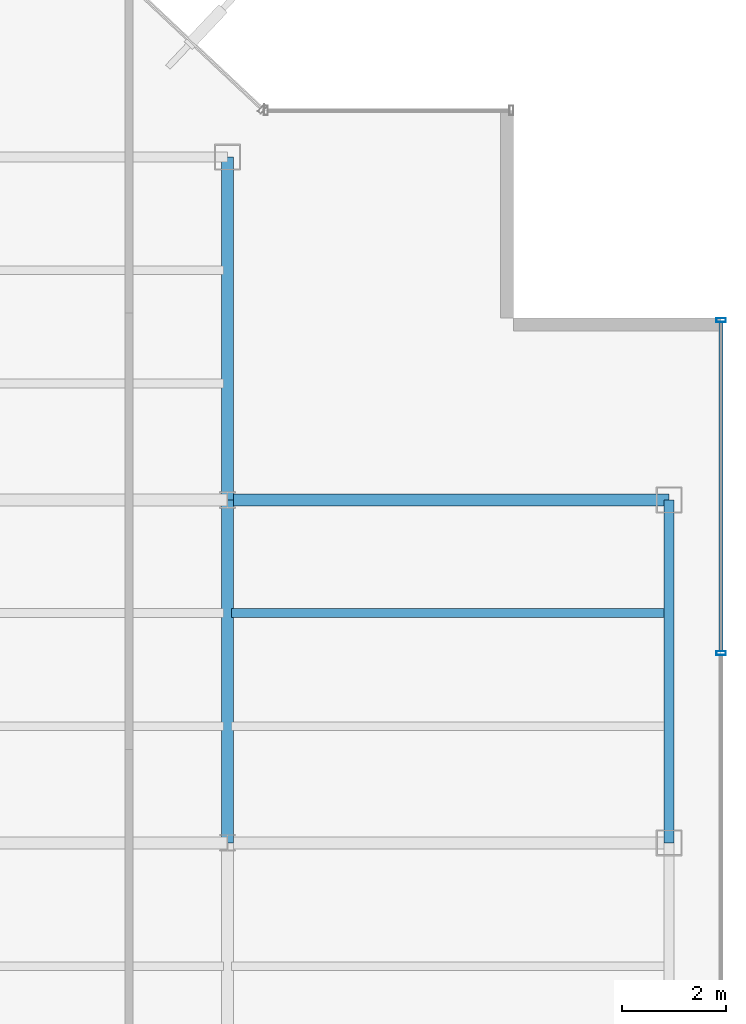
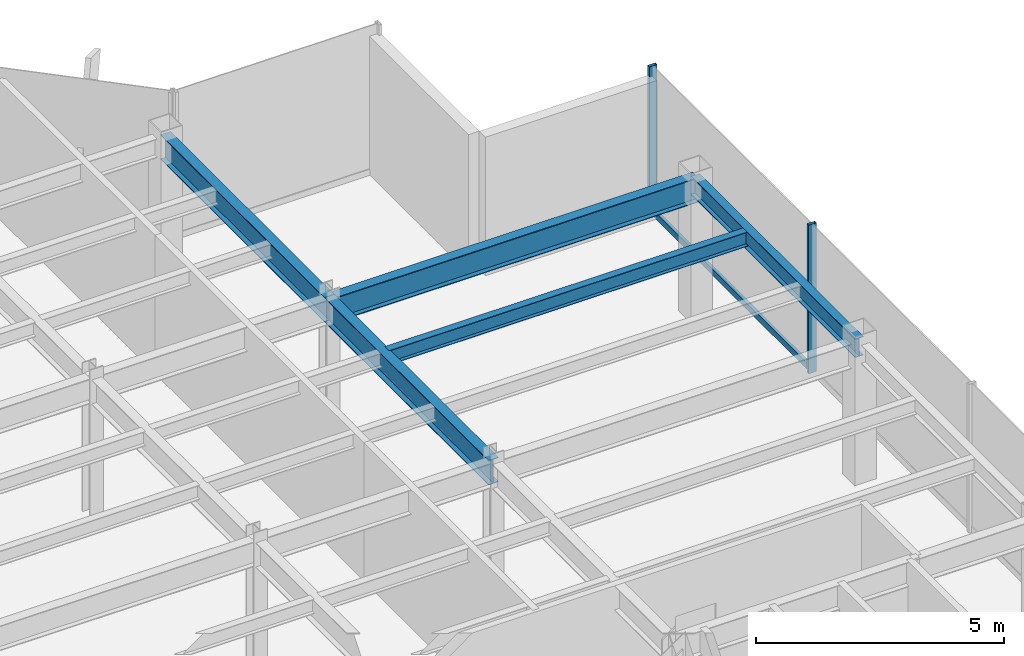
# One storey, part 11 of 22: 5 beams, 3 members, 1 element without a shape of its own.
"""IFC4 building model written with IfcOpenShell, lengths in metres."""

from ifc_helpers import new_model, si_unit, derived_unit, direction, frame, origin, origin_2d, place, context, subcontext, project, spatial, hollow_rectangle, i_section, extrude, source, transform, mapped, material, material_profile, profile_set, type_object, element, aggregate, save


model = new_model("IFC4")

# Units and contexts
model_context = context("Model", 3, precision=1e-05, world=origin(), true_north=direction((0.0, 1.0)))
body_context = subcontext(model_context, "Body", "Model", "MODEL_VIEW")
ifc_project = project(units=[si_unit("LENGTHUNIT", "METRE"), si_unit("AREAUNIT", "SQUARE_METRE"), si_unit("VOLUMEUNIT", "CUBIC_METRE"), si_unit("PLANEANGLEUNIT", "RADIAN"), si_unit("MASSUNIT", "GRAM", prefix="KILO"), derived_unit("THERMALTRANSMITTANCEUNIT", [(si_unit("POWERUNIT", "WATT"), 1), (si_unit("LENGTHUNIT", "METRE"), -2), (si_unit("THERMODYNAMICTEMPERATUREUNIT", "KELVIN"), -1)])], contexts=[model_context])

# Site, building, storey
site_placement = place(None, origin())
site = spatial("IfcSite", under=ifc_project, at=site_placement, CompositionType="ELEMENT")
building_placement = place(site_placement, origin())
building = spatial("IfcBuilding", under=site, at=building_placement, Name="Skarnbrae Concourse Arena and Tower", CompositionType="ELEMENT")
storey_placement = place(building_placement, frame((0.0, 0.0, 206.85009765625)))
storey = spatial("IfcBuildingStorey", under=building, at=storey_placement, Name="L53", CompositionType="ELEMENT", Elevation=206.85009765625)

# Beams
ifc_material_1 = material(Name="Steel CSA G40.21 350W", Category="steel")
ifc_material_profile_1 = material_profile(ifc_material_1, i_section(OverallWidth=0.22802734375, OverallDepth=0.60791015625, WebThickness=0.01123046875, FlangeThickness=0.017333984375, at=origin_2d()), Name="W610X113")
ifc_profile_set_1 = profile_set([ifc_material_profile_1], Name="Steel CSA G40.21 350W")
beam_type_1 = type_object("IfcBeamType", Name="BM-GIRD-W610X113", PredefinedType="BEAM", material=ifc_profile_set_1)
shared_shape_1 = source(origin(), body_context, "Body", "SweptSolid", [
    extrude(i_section(OverallWidth=0.22802734375, OverallDepth=0.60791015625, WebThickness=0.01123046875, FlangeThickness=0.017333984375, at=origin_2d()), origin(), (0.0, 0.0, 1.0), 6.60009765625),
])
beam_1_placement = place(storey_placement, frame((33.5, 21.199951171875, 3.095947265625), z_axis=(0.0, 1.0, 0.0), x_axis=(-1.0, 0.0, 0.0)))
element("IfcBeam", 1, at=beam_1_placement, inside=storey, type_object=beam_type_1, Name="L53 Primary N-S girder X33.5-2", PredefinedType="BEAM", context=body_context, shape_type="MappedRepresentation", body=[
    mapped(shared_shape_1, transform((0.0, 0.0, 0.0))),
])
shared_shape_2 = source(origin(), body_context, "Body", "SweptSolid", [
    extrude(i_section(OverallWidth=0.22802734375, OverallDepth=0.60791015625, WebThickness=0.01123046875, FlangeThickness=0.017333984375, at=origin_2d()), origin(), (0.0, 0.0, 1.0), 8.5),
])
beam_2_placement = place(storey_placement, frame((33.5, 27.800048828125, 3.095947265625), z_axis=(1.0, 0.0, 0.0), x_axis=(0.0, 1.0, 0.0)))
element("IfcBeam", 2, at=beam_2_placement, inside=storey, type_object=beam_type_1, Name="L53 Primary E-W girder Y27.8-6", PredefinedType="BEAM", context=body_context, shape_type="MappedRepresentation", body=[
    mapped(shared_shape_2, transform((0.0, 0.0, 0.0))),
])
ifc_material_profile_2 = material_profile(ifc_material_1, i_section(OverallWidth=0.19091796875, OverallDepth=0.4599609375, WebThickness=0.010009765625, FlangeThickness=0.01611328125, at=origin_2d()), Name="W460X82")
ifc_profile_set_2 = profile_set([ifc_material_profile_2], Name="Steel CSA G40.21 350W")
beam_type_2 = type_object("IfcBeamType", Name="BM-SPAN-W460X82", PredefinedType="SPANDREL", material=ifc_profile_set_2)
shared_shape_3 = source(origin(), body_context, "Body", "SweptSolid", [
    extrude(i_section(OverallWidth=0.19091796875, OverallDepth=0.4599609375, WebThickness=0.010009765625, FlangeThickness=0.01611328125, at=origin_2d()), origin(), (0.0, 0.0, 1.0), 6.60009765625),
])
beam_3_placement = place(storey_placement, frame((42.0, 21.199951171875, 3.169921875), z_axis=(0.0, 1.0, 0.0), x_axis=(-1.0, 0.0, 0.0)))
element("IfcBeam", 3, at=beam_3_placement, inside=storey, type_object=beam_type_2, Name="L53 Perimeter spandrel X42.0-3", PredefinedType="SPANDREL", context=body_context, shape_type="MappedRepresentation", body=[
    mapped(shared_shape_3, transform((0.0, 0.0, 0.0))),
])
shared_shape_4 = source(origin(), body_context, "Body", "SweptSolid", [
    extrude(i_section(OverallWidth=0.22802734375, OverallDepth=0.60791015625, WebThickness=0.01123046875, FlangeThickness=0.017333984375, at=origin_2d()), origin(), (0.0, 0.0, 1.0), 6.599853515625),
])
beam_4_placement = place(storey_placement, frame((33.5, 27.800048828125, 3.095947265625), z_axis=(0.0, 1.0, 0.0), x_axis=(-1.0, 0.0, 0.0)))
element("IfcBeam", 4, at=beam_4_placement, inside=storey, type_object=beam_type_1, Name="L53 Primary N-S girder X33.5-3", PredefinedType="BEAM", context=body_context, shape_type="MappedRepresentation", body=[
    mapped(shared_shape_4, transform((0.0, 0.0, 0.0))),
])
ifc_material_profile_3 = material_profile(ifc_material_1, i_section(OverallWidth=0.1708984375, OverallDepth=0.35498046875, WebThickness=0.007080078125, FlangeThickness=0.01171875, at=origin_2d()), Name="W360X51")
ifc_profile_set_3 = profile_set([ifc_material_profile_3], Name="Steel CSA G40.21 350W")
beam_type_3 = type_object("IfcBeamType", Name="BM-JOIST-W360X51", PredefinedType="JOIST", material=ifc_profile_set_3)
shared_shape_5 = source(origin(), body_context, "Body", "SweptSolid", [
    extrude(i_section(OverallWidth=0.1708984375, OverallDepth=0.35498046875, WebThickness=0.007080078125, FlangeThickness=0.01171875, at=origin_2d()), origin(), (0.0, 0.0, 1.0), 8.33984375),
])
beam_5_placement = place(storey_placement, frame((33.580078125, 25.6220703125, 3.222412109375), z_axis=(1.0, 0.0, 0.0), x_axis=(0.0, 1.0, 0.0)))
element("IfcBeam", 5, at=beam_5_placement, inside=storey, type_object=beam_type_3, Name="L53 Secondary floor joist 2.2.6", PredefinedType="JOIST", context=body_context, shape_type="MappedRepresentation", body=[
    mapped(shared_shape_5, transform((0.0, 0.0, 0.0))),
])

# Curtain wall, members
ifc_material_2 = material(Name="Bronze anodised aluminium 6063-T6", Category="aluminium")
curtain_wall_type = type_object("IfcCurtainWallType", Name="CW-SYS-05-HIGHZONE", PredefinedType="USERDEFINED", material=ifc_material_2)
curtain_wall_placement = place(storey_placement, origin())
curtain_wall = element("IfcCurtainWall", 6, at=curtain_wall_placement, inside=storey, type_object=curtain_wall_type, Name="L53 Unitised curtain wall CW-L53-E04", ObjectType="UNITISED CURTAIN WALL", PredefinedType="USERDEFINED")
ifc_material_profile_4 = material_profile(ifc_material_2, hollow_rectangle(XDim=0.074951171875, YDim=0.179931640625, WallThickness=0.00390625, at=origin_2d()), Name="ALU-MULL-75X180")
ifc_profile_set_4 = profile_set([ifc_material_profile_4], Name="Bronze anodised aluminium 6063-T6")
member_type_1 = type_object("IfcMemberType", Name="CWM-CW-05", PredefinedType="MULLION", material=ifc_profile_set_4)
shared_shape_6 = source(origin(), body_context, "Body", "SweptSolid", [
    extrude(hollow_rectangle(XDim=0.074951171875, YDim=0.179931640625, WallThickness=0.00390625, at=origin_2d()), origin(), (0.0, 0.0, 1.0), 3.64990234375),
])
member_1_placement = place(storey_placement, frame((43.0, 24.85009765625, 0.0), z_axis=(0.0, 0.0, 1.0), x_axis=(0.0, 1.0, 0.0)))
member_1 = element("IfcMember", 7, at=member_1_placement, type_object=member_type_1, Name="CW-L53-E04 Mullion 4", PredefinedType="MULLION", context=body_context, shape_type="MappedRepresentation", body=[
    mapped(shared_shape_6, transform((0.0, 0.0, 0.0))),
])
member_2_placement = place(storey_placement, frame((43.0, 31.262451171875, 0.0), z_axis=(0.0, 0.0, 1.0), x_axis=(0.0, 1.0, 0.0)))
member_2 = element("IfcMember", 8, at=member_2_placement, type_object=member_type_1, Name="CW-L53-E04 Mullion 5", PredefinedType="MULLION", context=body_context, shape_type="MappedRepresentation", body=[
    mapped(shared_shape_6, transform((0.0, 0.0, 0.0))),
])
ifc_material_profile_5 = material_profile(ifc_material_2, hollow_rectangle(XDim=0.074951171875, YDim=0.14990234375, WallThickness=0.00390625, at=origin_2d()), Name="ALU-TRAN-75X150")
ifc_profile_set_5 = profile_set([ifc_material_profile_5], Name="Bronze anodised aluminium 6063-T6")
member_type_2 = type_object("IfcMemberType", Name="CWT-CW-05", PredefinedType="USERDEFINED", material=ifc_profile_set_5)
shared_shape_7 = source(origin(), body_context, "Body", "SweptSolid", [
    extrude(hollow_rectangle(XDim=0.074951171875, YDim=0.14990234375, WallThickness=0.00390625, at=origin_2d()), origin(), (0.0, 0.0, 1.0), 6.337646484375),
])
member_3_placement = place(storey_placement, frame((43.0, 24.887451171875, 0.074951171875), z_axis=(0.0, 1.0, 0.0), x_axis=(-1.0, 0.0, 0.0)))
member_3 = element("IfcMember", 9, at=member_3_placement, type_object=member_type_2, Name="CW-L53-E04 Transom 4", ObjectType="TRANSOM", PredefinedType="USERDEFINED", context=body_context, shape_type="MappedRepresentation", body=[
    mapped(shared_shape_7, transform((0.0, 0.0, 0.0))),
])
aggregate(curtain_wall, [member_1, member_2, member_3])

save(model, "model.ifc")
